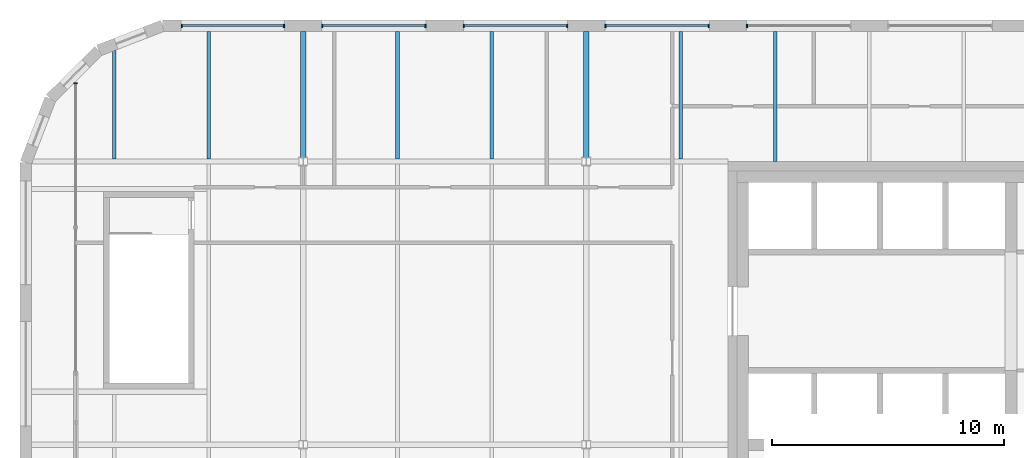
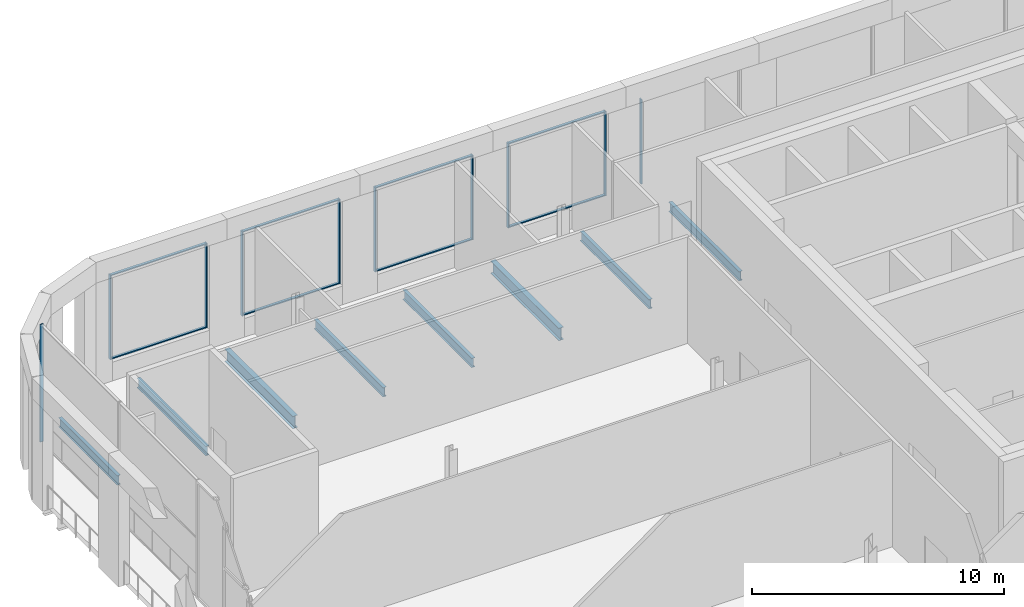
# One storey, part 8 of 19: 18 members, 8 beams, 6 elements without a shape of their own.
"""IFC4 building model written with IfcOpenShell, lengths in metres."""

from ifc_helpers import new_model, si_unit, direction, frame, origin, origin_2d, place, context, subcontext, project, spatial, rectangle, i_section, extrude, material, material_profile, profile_set, type_object, element, aggregate, save


model = new_model("IFC4")

# Units and contexts
model_context = context("Model", 3, precision=1e-05, world=origin(), true_north=direction((0.0, 1.0)))
body_context = subcontext(model_context, "Body", "Model", "MODEL_VIEW")
ifc_project = project(units=[si_unit("LENGTHUNIT", "METRE"), si_unit("AREAUNIT", "SQUARE_METRE"), si_unit("VOLUMEUNIT", "CUBIC_METRE"), si_unit("PLANEANGLEUNIT", "RADIAN"), si_unit("MASSUNIT", "GRAM", prefix="KILO")], contexts=[model_context])

# Site, building, storey
site_placement = place(None, origin())
site = spatial("IfcSite", under=ifc_project, at=site_placement, CompositionType="ELEMENT")
building_placement = place(site_placement, origin())
building = spatial("IfcBuilding", under=site, at=building_placement, Name="Tessera Gate Towers", CompositionType="ELEMENT")
storey_placement = place(building_placement, frame((0.0, 0.0, 259.699951171875)))
storey = spatial("IfcBuildingStorey", under=building, at=storey_placement, Name="L65", CompositionType="ELEMENT", Elevation=259.699951171875)

# Beams
ifc_material_1 = material(Name="Steel 350W", Category="steel")
ifc_material_profile_1 = material_profile(ifc_material_1, i_section(OverallWidth=0.22802734375, OverallDepth=0.60302734375, WebThickness=0.010498046875, FlangeThickness=0.014892578125, at=origin_2d()), Name="W610x101")
ifc_profile_set_1 = profile_set([ifc_material_profile_1], Name="Steel 350W")
beam_type_1 = type_object("IfcBeamType", Name="FLOOR GIRDER W610x101", PredefinedType="BEAM", material=ifc_profile_set_1)
for number, where, z_axis, x_axis, name in (
    (1, (12.199951171875, 48.984619140625, -0.551513671875), (0.0, 1.0, 0.0), (-1.0, 0.0, 0.0), "T1-GD-L65-6323"),
    (2, (24.39990234375, 48.984619140625, -0.551513671875), (0.0, 1.0, 0.0), (-1.0, 0.0, 0.0), "T1-GD-L65-6327"),
):
    element("IfcBeam", number, at=place(storey_placement, frame(where, z_axis=z_axis, x_axis=x_axis)), inside=storey, type_object=beam_type_1, Name=name, PredefinedType="BEAM", context=body_context, shape_type="SweptSolid", body=[
        extrude(i_section(OverallWidth=0.22802734375, OverallDepth=0.60302734375, WebThickness=0.010498046875, FlangeThickness=0.014892578125, at=origin_2d()), origin(), (0.0, 0.0, 1.0), 5.416259765625),
    ])
ifc_material_2 = material(Name="Steel 350W", Category="steel")
ifc_material_profile_2 = material_profile(ifc_material_2, i_section(OverallWidth=0.153076171875, OverallDepth=0.455078125, WebThickness=0.008056640625, FlangeThickness=0.01318359375, at=origin_2d()), Name="W460x60")
ifc_profile_set_2 = profile_set([ifc_material_profile_2], Name="Steel 350W")
beam_type_2 = type_object("IfcBeamType", Name="FLOOR SECONDARY W460x60", PredefinedType="BEAM", material=ifc_profile_set_2)
beam_1_placement = place(storey_placement, frame((4.066650390625, 48.9140625, -0.4775390625), z_axis=(0.0, 1.0, 0.0), x_axis=(-1.0, 0.0, 0.0)))
element("IfcBeam", 3, at=beam_1_placement, inside=storey, type_object=beam_type_2, Name="T1-BM-L65-6338", PredefinedType="BEAM", context=body_context, shape_type="SweptSolid", body=[
    extrude(i_section(OverallWidth=0.153076171875, OverallDepth=0.455078125, WebThickness=0.008056640625, FlangeThickness=0.01318359375, at=origin_2d()), origin(), (0.0, 0.0, 1.0), 4.66552734375),
])
for number, where, z_axis, x_axis, name in (
    (4, (8.13330078125, 48.9140625, -0.4775390625), (0.0, 1.0, 0.0), (-1.0, 0.0, 0.0), "T1-BM-L65-6342"),
    (5, (16.2666015625, 48.9140625, -0.4775390625), (0.0, 1.0, 0.0), (-1.0, 0.0, 0.0), "T1-BM-L65-6346"),
    (6, (20.333251953125, 48.9140625, -0.4775390625), (0.0, 1.0, 0.0), (-1.0, 0.0, 0.0), "T1-BM-L65-6350"),
    (7, (28.466796875, 48.9140625, -0.4775390625), (0.0, 1.0, 0.0), (-1.0, 0.0, 0.0), "T1-BM-L65-6354"),
):
    element("IfcBeam", number, at=place(storey_placement, frame(where, z_axis=z_axis, x_axis=x_axis)), inside=storey, type_object=beam_type_2, Name=name, PredefinedType="BEAM", context=body_context, shape_type="SweptSolid", body=[
        extrude(i_section(OverallWidth=0.153076171875, OverallDepth=0.455078125, WebThickness=0.008056640625, FlangeThickness=0.01318359375, at=origin_2d()), origin(), (0.0, 0.0, 1.0), 5.48583984375),
    ])
beam_2_placement = place(storey_placement, frame((32.533203125, 48.800048828125, -0.4775390625), z_axis=(0.0, 1.0, 0.0), x_axis=(-1.0, 0.0, 0.0)))
element("IfcBeam", 8, at=beam_2_placement, inside=storey, type_object=beam_type_2, Name="T1-BM-L65-6356", PredefinedType="BEAM", context=body_context, shape_type="SweptSolid", body=[
    extrude(i_section(OverallWidth=0.153076171875, OverallDepth=0.455078125, WebThickness=0.008056640625, FlangeThickness=0.01318359375, at=origin_2d()), origin(), (0.0, 0.0, 1.0), 5.599853515625),
])

# Curtain wall, member
ifc_material_3 = material(Name="Aluminium frame", Category="aluminium")
curtain_wall_type = type_object("IfcCurtainWallType", Name="CW-S4 observation glass", PredefinedType="NOTDEFINED", material=ifc_material_3)
curtain_wall_1_placement = place(storey_placement, origin())
curtain_wall_1 = element("IfcCurtainWall", 9, at=curtain_wall_1_placement, inside=storey, type_object=curtain_wall_type, Name="Curtain wall observation glass 0107", PredefinedType="NOTDEFINED")
ifc_material_4 = material(Name="Aluminium frame", Category="aluminium")
ifc_material_profile_3 = material_profile(ifc_material_4, rectangle(XDim=0.050048828125, YDim=0.14990234375, at=origin_2d()), Name="AL 50x150")
ifc_profile_set_3 = profile_set([ifc_material_profile_3], Name="Aluminium frame")
member_type_1 = type_object("IfcMemberType", Name="MU-S4 mullion 50x150", PredefinedType="MULLION", material=ifc_profile_set_3)
member_1_placement = place(storey_placement, frame((31.324951171875, 54.64990234375, 0.900146484375), z_axis=(0.0, 0.0, 1.0), x_axis=(-1.0, 0.0, 0.0)))
member_1 = element("IfcMember", 10, at=member_1_placement, type_object=member_type_1, Name="T1-CW4-0107 mullion 2", PredefinedType="MULLION", context=body_context, shape_type="SweptSolid", body=[
    extrude(rectangle(XDim=0.050048828125, YDim=0.14990234375, at=origin_2d()), origin(), (0.0, 0.0, 1.0), 4.099853515625),
])
aggregate(curtain_wall_1, [member_1])

# Curtain wall, members
curtain_wall_2_placement = place(storey_placement, origin())
curtain_wall_2 = element("IfcCurtainWall", 11, at=curtain_wall_2_placement, inside=storey, type_object=curtain_wall_type, Name="Curtain wall observation glass 0108", PredefinedType="NOTDEFINED")
member_2_placement = place(storey_placement, frame((29.675048828125, 54.64990234375, 0.900146484375), z_axis=(0.0, 0.0, 1.0), x_axis=(-1.0, 0.0, 0.0)))
member_2 = element("IfcMember", 12, at=member_2_placement, type_object=member_type_1, Name="T1-CW4-0108 mullion 1", PredefinedType="MULLION", context=body_context, shape_type="SweptSolid", body=[
    extrude(rectangle(XDim=0.050048828125, YDim=0.14990234375, at=origin_2d()), origin(), (0.0, 0.0, 1.0), 4.099853515625),
])
member_3_placement = place(storey_placement, frame((25.22509765625, 54.64990234375, 0.900146484375), z_axis=(0.0, 0.0, 1.0), x_axis=(-1.0, 0.0, 0.0)))
member_3 = element("IfcMember", 13, at=member_3_placement, type_object=member_type_1, Name="T1-CW4-0108 mullion 2", PredefinedType="MULLION", context=body_context, shape_type="SweptSolid", body=[
    extrude(rectangle(XDim=0.050048828125, YDim=0.14990234375, at=origin_2d()), origin(), (0.0, 0.0, 1.0), 4.099853515625),
])

curtain_wall_3_placement = place(storey_placement, origin())
curtain_wall_3 = element("IfcCurtainWall", 14, at=curtain_wall_3_placement, inside=storey, type_object=curtain_wall_type, Name="Curtain wall observation glass 0109", PredefinedType="NOTDEFINED")
member_4_placement = place(storey_placement, frame((23.574951171875, 54.64990234375, 0.900146484375), z_axis=(0.0, 0.0, 1.0), x_axis=(-1.0, 0.0, 0.0)))
member_4 = element("IfcMember", 15, at=member_4_placement, type_object=member_type_1, Name="T1-CW4-0109 mullion 1", PredefinedType="MULLION", context=body_context, shape_type="SweptSolid", body=[
    extrude(rectangle(XDim=0.050048828125, YDim=0.14990234375, at=origin_2d()), origin(), (0.0, 0.0, 1.0), 4.099853515625),
])
member_5_placement = place(storey_placement, frame((19.125, 54.64990234375, 0.900146484375), z_axis=(0.0, 0.0, 1.0), x_axis=(-1.0, 0.0, 0.0)))
member_5 = element("IfcMember", 16, at=member_5_placement, type_object=member_type_1, Name="T1-CW4-0109 mullion 2", PredefinedType="MULLION", context=body_context, shape_type="SweptSolid", body=[
    extrude(rectangle(XDim=0.050048828125, YDim=0.14990234375, at=origin_2d()), origin(), (0.0, 0.0, 1.0), 4.099853515625),
])

curtain_wall_4_placement = place(storey_placement, origin())
curtain_wall_4 = element("IfcCurtainWall", 17, at=curtain_wall_4_placement, inside=storey, type_object=curtain_wall_type, Name="Curtain wall observation glass 0110", PredefinedType="NOTDEFINED")
member_6_placement = place(storey_placement, frame((17.47509765625, 54.64990234375, 0.900146484375), z_axis=(0.0, 0.0, 1.0), x_axis=(-1.0, 0.0, 0.0)))
member_6 = element("IfcMember", 18, at=member_6_placement, type_object=member_type_1, Name="T1-CW4-0110 mullion 1", PredefinedType="MULLION", context=body_context, shape_type="SweptSolid", body=[
    extrude(rectangle(XDim=0.050048828125, YDim=0.14990234375, at=origin_2d()), origin(), (0.0, 0.0, 1.0), 4.099853515625),
])
member_7_placement = place(storey_placement, frame((13.02490234375, 54.64990234375, 0.900146484375), z_axis=(0.0, 0.0, 1.0), x_axis=(-1.0, 0.0, 0.0)))
member_7 = element("IfcMember", 19, at=member_7_placement, type_object=member_type_1, Name="T1-CW4-0110 mullion 2", PredefinedType="MULLION", context=body_context, shape_type="SweptSolid", body=[
    extrude(rectangle(XDim=0.050048828125, YDim=0.14990234375, at=origin_2d()), origin(), (0.0, 0.0, 1.0), 4.099853515625),
])

curtain_wall_5_placement = place(storey_placement, origin())
curtain_wall_5 = element("IfcCurtainWall", 20, at=curtain_wall_5_placement, inside=storey, type_object=curtain_wall_type, Name="Curtain wall observation glass 0111", PredefinedType="NOTDEFINED")
member_8_placement = place(storey_placement, frame((11.375, 54.64990234375, 0.900146484375), z_axis=(0.0, 0.0, 1.0), x_axis=(-1.0, 0.0, 0.0)))
member_8 = element("IfcMember", 21, at=member_8_placement, type_object=member_type_1, Name="T1-CW4-0111 mullion 1", PredefinedType="MULLION", context=body_context, shape_type="SweptSolid", body=[
    extrude(rectangle(XDim=0.050048828125, YDim=0.14990234375, at=origin_2d()), origin(), (0.0, 0.0, 1.0), 4.099853515625),
])
member_9_placement = place(storey_placement, frame((6.971435546875, 54.64990234375, 0.900146484375), z_axis=(0.0, 0.0, 1.0), x_axis=(-1.0, 0.0, 0.0)))
member_9 = element("IfcMember", 22, at=member_9_placement, type_object=member_type_1, Name="T1-CW4-0111 mullion 2", PredefinedType="MULLION", context=body_context, shape_type="SweptSolid", body=[
    extrude(rectangle(XDim=0.050048828125, YDim=0.14990234375, at=origin_2d()), origin(), (0.0, 0.0, 1.0), 4.099853515625),
])

# Curtain wall, member
curtain_wall_6_placement = place(storey_placement, origin())
curtain_wall_6 = element("IfcCurtainWall", 23, at=curtain_wall_6_placement, inside=storey, type_object=curtain_wall_type, Name="Curtain wall observation glass 0115", PredefinedType="NOTDEFINED")
member_10_placement = place(storey_placement, frame((2.39990234375, 52.175048828125, 0.0), z_axis=(0.0, 0.0, 1.0), x_axis=(0.0, 1.0, 0.0)))
member_10 = element("IfcMember", 24, at=member_10_placement, type_object=member_type_1, Name="T1-CW4-0115 mullion 2", PredefinedType="MULLION", context=body_context, shape_type="SweptSolid", body=[
    extrude(rectangle(XDim=0.050048828125, YDim=0.14990234375, at=origin_2d()), origin(), (0.0, 0.0, 1.0), 5.699951171875),
])
aggregate(curtain_wall_6, [member_10])

# Member
ifc_material_5 = material(Name="Aluminium frame", Category="aluminium")
ifc_material_profile_4 = material_profile(ifc_material_5, rectangle(XDim=0.1201171875, YDim=0.050048828125, at=origin_2d()), Name="AL 50x120")
ifc_profile_set_4 = profile_set([ifc_material_profile_4], Name="Aluminium frame")
member_type_2 = type_object("IfcMemberType", Name="TR-S4 transom 50x120", PredefinedType="USERDEFINED", material=ifc_profile_set_4)
member_11_placement = place(storey_placement, frame((29.64990234375, 54.64990234375, 0.925048828125), z_axis=(-1.0, 0.0, 0.0), x_axis=(0.0, -1.0, 0.0)))
member_11 = element("IfcMember", 25, at=member_11_placement, type_object=member_type_2, Name="T1-CW4-0108 transom 1.1", ObjectType="TRANSOM", PredefinedType="USERDEFINED", context=body_context, shape_type="SweptSolid", body=[
    extrude(rectangle(XDim=0.1201171875, YDim=0.050048828125, at=origin_2d()), origin(), (0.0, 0.0, 1.0), 4.39990234375),
])

member_12_placement = place(storey_placement, frame((29.64990234375, 54.64990234375, 4.97509765625), z_axis=(-1.0, 0.0, 0.0), x_axis=(0.0, -1.0, 0.0)))
member_12 = element("IfcMember", 26, at=member_12_placement, type_object=member_type_2, Name="T1-CW4-0108 transom 1.2", ObjectType="TRANSOM", PredefinedType="USERDEFINED", context=body_context, shape_type="SweptSolid", body=[
    extrude(rectangle(XDim=0.1201171875, YDim=0.050048828125, at=origin_2d()), origin(), (0.0, 0.0, 1.0), 4.39990234375),
])

aggregate(curtain_wall_2, [member_2, member_3, member_11, member_12])

member_13_placement = place(storey_placement, frame((23.550048828125, 54.64990234375, 0.925048828125), z_axis=(-1.0, 0.0, 0.0), x_axis=(0.0, -1.0, 0.0)))
member_13 = element("IfcMember", 27, at=member_13_placement, type_object=member_type_2, Name="T1-CW4-0109 transom 1.1", ObjectType="TRANSOM", PredefinedType="USERDEFINED", context=body_context, shape_type="SweptSolid", body=[
    extrude(rectangle(XDim=0.1201171875, YDim=0.050048828125, at=origin_2d()), origin(), (0.0, 0.0, 1.0), 4.400146484375),
])

member_14_placement = place(storey_placement, frame((23.550048828125, 54.64990234375, 4.97509765625), z_axis=(-1.0, 0.0, 0.0), x_axis=(0.0, -1.0, 0.0)))
member_14 = element("IfcMember", 28, at=member_14_placement, type_object=member_type_2, Name="T1-CW4-0109 transom 1.2", ObjectType="TRANSOM", PredefinedType="USERDEFINED", context=body_context, shape_type="SweptSolid", body=[
    extrude(rectangle(XDim=0.1201171875, YDim=0.050048828125, at=origin_2d()), origin(), (0.0, 0.0, 1.0), 4.400146484375),
])

aggregate(curtain_wall_3, [member_4, member_5, member_13, member_14])

member_15_placement = place(storey_placement, frame((17.449951171875, 54.64990234375, 0.925048828125), z_axis=(-1.0, 0.0, 0.0), x_axis=(0.0, -1.0, 0.0)))
member_15 = element("IfcMember", 29, at=member_15_placement, type_object=member_type_2, Name="T1-CW4-0110 transom 1.1", ObjectType="TRANSOM", PredefinedType="USERDEFINED", context=body_context, shape_type="SweptSolid", body=[
    extrude(rectangle(XDim=0.1201171875, YDim=0.050048828125, at=origin_2d()), origin(), (0.0, 0.0, 1.0), 4.39990234375),
])

member_16_placement = place(storey_placement, frame((17.449951171875, 54.64990234375, 4.97509765625), z_axis=(-1.0, 0.0, 0.0), x_axis=(0.0, -1.0, 0.0)))
member_16 = element("IfcMember", 30, at=member_16_placement, type_object=member_type_2, Name="T1-CW4-0110 transom 1.2", ObjectType="TRANSOM", PredefinedType="USERDEFINED", context=body_context, shape_type="SweptSolid", body=[
    extrude(rectangle(XDim=0.1201171875, YDim=0.050048828125, at=origin_2d()), origin(), (0.0, 0.0, 1.0), 4.39990234375),
])

aggregate(curtain_wall_4, [member_6, member_7, member_15, member_16])

member_17_placement = place(storey_placement, frame((11.35009765625, 54.64990234375, 0.925048828125), z_axis=(-1.0, 0.0, 0.0), x_axis=(0.0, -1.0, 0.0)))
member_17 = element("IfcMember", 31, at=member_17_placement, type_object=member_type_2, Name="T1-CW4-0111 transom 1.1", ObjectType="TRANSOM", PredefinedType="USERDEFINED", context=body_context, shape_type="SweptSolid", body=[
    extrude(rectangle(XDim=0.1201171875, YDim=0.050048828125, at=origin_2d()), origin(), (0.0, 0.0, 1.0), 4.353515625),
])

member_18_placement = place(storey_placement, frame((11.35009765625, 54.64990234375, 4.97509765625), z_axis=(-1.0, 0.0, 0.0), x_axis=(0.0, -1.0, 0.0)))
member_18 = element("IfcMember", 32, at=member_18_placement, type_object=member_type_2, Name="T1-CW4-0111 transom 1.2", ObjectType="TRANSOM", PredefinedType="USERDEFINED", context=body_context, shape_type="SweptSolid", body=[
    extrude(rectangle(XDim=0.1201171875, YDim=0.050048828125, at=origin_2d()), origin(), (0.0, 0.0, 1.0), 4.353515625),
])

aggregate(curtain_wall_5, [member_8, member_9, member_17, member_18])

save(model, "model.ifc")
